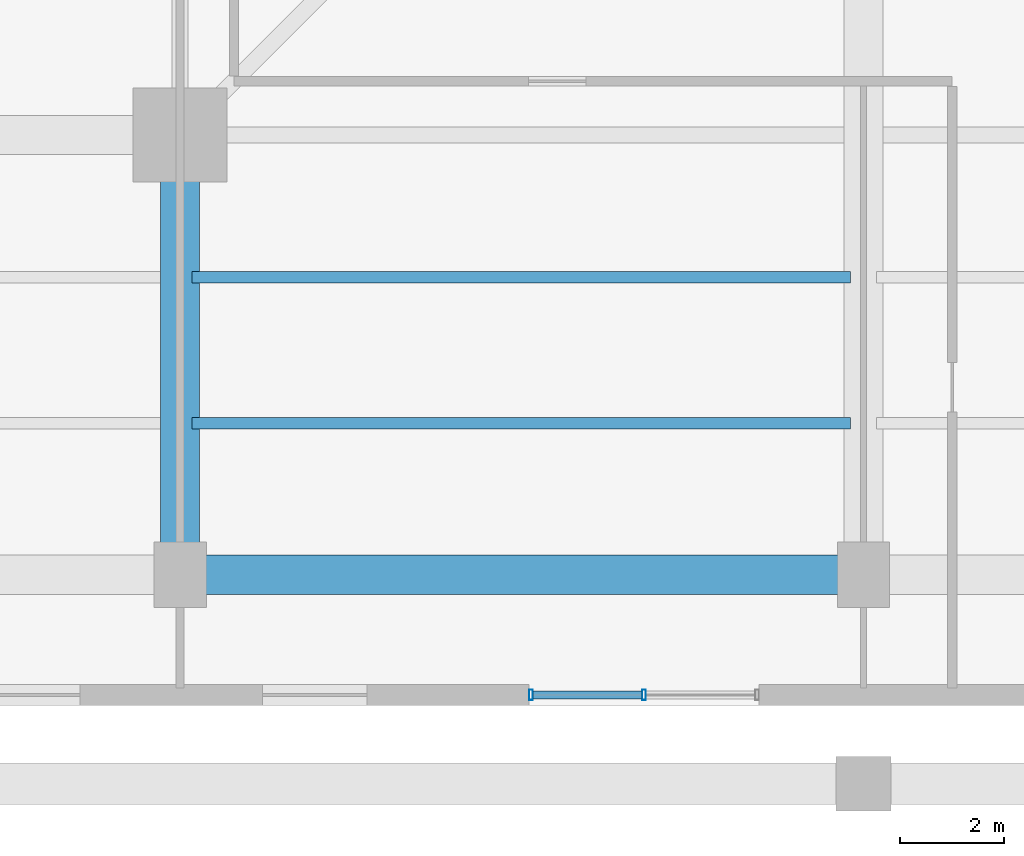
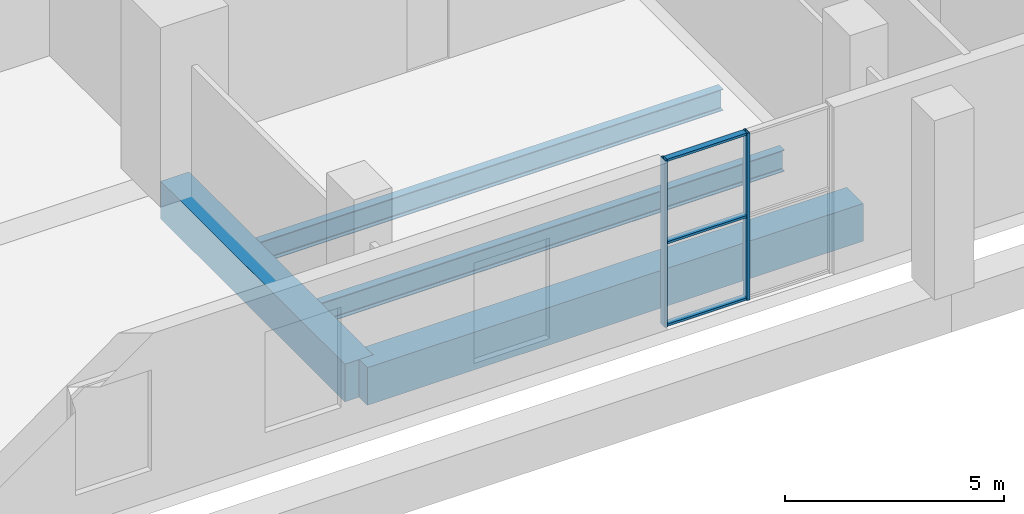
# One storey, part 2 of 14: 5 members, 4 beams, 1 element without a shape of its own.
"""IFC4 building model written with IfcOpenShell, lengths in metres."""

from ifc_helpers import new_model, si_unit, direction, frame, origin, origin_2d, place, context, subcontext, project, spatial, rectangle, hollow_rectangle, i_section, extrude, source, transform, mapped, material, layer, layer_set, material_profile, profile_set, type_object, element, aggregate, save


model = new_model("IFC4")

# Units and contexts
model_context = context("Model", 3, precision=1e-05, world=origin(), true_north=direction((0.0, 1.0)))
body_context = subcontext(model_context, "Body", "Model", "MODEL_VIEW")
ifc_project = project(units=[si_unit("LENGTHUNIT", "METRE"), si_unit("AREAUNIT", "SQUARE_METRE"), si_unit("VOLUMEUNIT", "CUBIC_METRE"), si_unit("PLANEANGLEUNIT", "RADIAN"), si_unit("MASSUNIT", "GRAM", prefix="KILO"), si_unit("THERMODYNAMICTEMPERATUREUNIT", "KELVIN")], contexts=[model_context])

# Site, building, storey
site_placement = place(None, origin())
site = spatial("IfcSite", under=ifc_project, at=site_placement, CompositionType="ELEMENT")
building_placement = place(site_placement, origin())
building = spatial("IfcBuilding", under=site, at=building_placement, Name="Kosmvard Interchange Tower", CompositionType="ELEMENT")
storey_placement = place(building_placement, frame((0.0, 0.0, 16.0)))
storey = spatial("IfcBuildingStorey", under=building, at=storey_placement, Name="L03", CompositionType="ELEMENT", Elevation=16.0)

# Beams
ifc_material_1 = material(Name="Steel S355", Category="steel")
ifc_material_profile_1 = material_profile(ifc_material_1, i_section(OverallWidth=0.219970703125, OverallDepth=0.60009765625, WebThickness=0.011962890625, FlangeThickness=0.01904296875, FilletRadius=0.02392578125, at=origin_2d()), Name="IPE 600")
ifc_profile_set_1 = profile_set([ifc_material_profile_1], Name="Steel S355")
beam_type_1 = type_object("IfcBeamType", Name="Long-Span Floor Joist IPE 600 S355", PredefinedType="JOIST", material=ifc_profile_set_1)
shared_shape_1 = source(origin(), body_context, "Body", "SweptSolid", [
    extrude(i_section(OverallWidth=0.219970703125, OverallDepth=0.60009765625, WebThickness=0.011962890625, FlangeThickness=0.01904296875, FilletRadius=0.02392578125, at=origin_2d()), origin(), (0.0, 0.0, 1.0), 12.60009765625),
])
for number, where, z_axis, x_axis, name in (
    (1, (-12.85009765625, -18.60009765625, -0.639892578125), (1.0, 0.0, 0.0), (0.0, 1.0, 0.0), "BM-L03-PJ02"),
    (2, (-12.85009765625, -15.800048828125, -0.639892578125), (1.0, 0.0, 0.0), (0.0, 1.0, 0.0), "BM-L03-PJ06"),
):
    element("IfcBeam", number, at=place(storey_placement, frame(where, z_axis=z_axis, x_axis=x_axis)), inside=storey, type_object=beam_type_1, Name=name, PredefinedType="JOIST", context=body_context, shape_type="MappedRepresentation", body=[
        mapped(shared_shape_1, transform((0.0, 0.0, 0.0), scale=1.0)),
    ])
ifc_material_2 = material(Name="Concrete C60/75", Category="concrete")
ifc_material_profile_2 = material_profile(ifc_material_2, rectangle(XDim=0.75, YDim=1.050048828125, at=origin_2d()), Name="RCG 750x1050")
ifc_profile_set_2 = profile_set([ifc_material_profile_2], Name="Concrete C60/75")
beam_type_2 = type_object("IfcBeamType", Name="Concourse Mid-Span RC Girder 750x1050 C60/75", PredefinedType="BEAM", material=ifc_profile_set_2)
shared_shape_2 = source(origin(), body_context, "Body", "SweptSolid", [
    extrude(rectangle(XDim=0.75, YDim=1.050048828125, at=origin_2d()), origin(), (0.0, 0.0, 1.0), 13.0810546875),
])
beam_1_placement = place(storey_placement, frame((-13.0810546875, -21.5, -0.52490234375), z_axis=(1.0, 0.0, 0.0), x_axis=(0.0, 1.0, 0.0)))
element("IfcBeam", 3, at=beam_1_placement, inside=storey, type_object=beam_type_2, Name="BM-L03-PG-S2", PredefinedType="BEAM", context=body_context, shape_type="MappedRepresentation", body=[
    mapped(shared_shape_2, transform((0.0, 0.0, 0.0), scale=1.0)),
])
shared_shape_3 = source(origin(), body_context, "Body", "SweptSolid", [
    extrude(rectangle(XDim=0.75, YDim=1.050048828125, at=origin_2d()), origin(), (0.0, 0.0, 1.0), 8.4189453125),
])
beam_2_placement = place(storey_placement, frame((-13.0810546875, -21.5, -0.52490234375), z_axis=(0.0, 1.0, 0.0), x_axis=(-1.0, 0.0, 0.0)))
element("IfcBeam", 4, at=beam_2_placement, inside=storey, type_object=beam_type_2, Name="BM-L03-PG-CS1", PredefinedType="BEAM", context=body_context, shape_type="MappedRepresentation", body=[
    mapped(shared_shape_3, transform((0.0, 0.0, 0.0), scale=1.0)),
])

# Curtain wall, members
ifc_material_3 = material(Name="Architectural anodised aluminium", Category="aluminium")
ifc_layer = layer(ifc_material_3, 0.199951171875, Name="Architectural anodised aluminium")
ifc_layer_set = layer_set([ifc_layer], Name="Architectural anodised aluminium")
curtain_wall_type = type_object("IfcCurtainWallType", Name="CW-2 Cascade Terrace Hall Curtain Wall", PredefinedType="NOTDEFINED", material=ifc_layer_set)
curtain_wall_placement = place(storey_placement, origin())
curtain_wall = element("IfcCurtainWall", 5, at=curtain_wall_placement, inside=storey, type_object=curtain_wall_type, Name="L03 South Terrace Hall Curtain Wall", PredefinedType="NOTDEFINED")
ifc_material_profile_3 = material_profile(ifc_material_3, hollow_rectangle(XDim=0.199951171875, YDim=0.070068359375, WallThickness=0.0048828125, at=origin_2d()), Name="CWM 200x70x5")
ifc_profile_set_3 = profile_set([ifc_material_profile_3], Name="Architectural anodised aluminium")
member_type_1 = type_object("IfcMemberType", Name="Terrace CW Mullion 200x70 Aluminium", PredefinedType="MULLION", material=ifc_profile_set_3)
shared_shape_4 = source(origin(), body_context, "Body", "SweptSolid", [
    extrude(hollow_rectangle(XDim=0.199951171875, YDim=0.070068359375, WallThickness=0.0048828125, at=origin_2d()), origin(), (0.0, 0.0, 1.0), 4.659912109375),
])
member_1_placement = place(storey_placement, frame((-6.364990234375, -23.800048828125, 0.0), z_axis=(0.0, 0.0, 1.0), x_axis=(0.0, 1.0, 0.0)))
member_1 = element("IfcMember", 6, at=member_1_placement, type_object=member_type_1, Name="CW-2 mullion 1", PredefinedType="MULLION", context=body_context, shape_type="MappedRepresentation", body=[
    mapped(shared_shape_4, transform((0.0, 0.0, 0.0), scale=1.0)),
])
member_2_placement = place(storey_placement, frame((-4.199951171875, -23.800048828125, 0.0), z_axis=(0.0, 0.0, 1.0), x_axis=(0.0, 1.0, 0.0)))
member_2 = element("IfcMember", 7, at=member_2_placement, type_object=member_type_1, Name="CW-2 mullion 2", PredefinedType="MULLION", context=body_context, shape_type="MappedRepresentation", body=[
    mapped(shared_shape_4, transform((0.0, 0.0, 0.0), scale=1.0)),
])
ifc_material_profile_4 = material_profile(ifc_material_3, hollow_rectangle(XDim=0.159912109375, YDim=0.06494140625, WallThickness=0.00390625, at=origin_2d()), Name="CWT 160x65x4")
ifc_profile_set_4 = profile_set([ifc_material_profile_4], Name="Architectural anodised aluminium")
member_type_2 = type_object("IfcMemberType", Name="Standard CW Transom 160x65 Aluminium", PredefinedType="USERDEFINED", material=ifc_profile_set_4)
shared_shape_5 = source(origin(), body_context, "Body", "SweptSolid", [
    extrude(hollow_rectangle(XDim=0.159912109375, YDim=0.06494140625, WallThickness=0.00390625, at=origin_2d()), origin(), (0.0, 0.0, 1.0), 2.094970703125),
])
member_3_placement = place(storey_placement, frame((-6.330078125, -23.800048828125, 0.032470703125), z_axis=(1.0, 0.0, 0.0), x_axis=(0.0, 1.0, 0.0)))
member_3 = element("IfcMember", 8, at=member_3_placement, type_object=member_type_2, Name="CW-2 transom 1.1", ObjectType="TRANSOM", PredefinedType="USERDEFINED", context=body_context, shape_type="MappedRepresentation", body=[
    mapped(shared_shape_5, transform((0.0, 0.0, 0.0), scale=1.0)),
])
member_4_placement = place(storey_placement, frame((-6.330078125, -23.800048828125, 2.330078125), z_axis=(1.0, 0.0, 0.0), x_axis=(0.0, 1.0, 0.0)))
member_4 = element("IfcMember", 9, at=member_4_placement, type_object=member_type_2, Name="CW-2 transom 1.2", ObjectType="TRANSOM", PredefinedType="USERDEFINED", context=body_context, shape_type="MappedRepresentation", body=[
    mapped(shared_shape_5, transform((0.0, 0.0, 0.0), scale=1.0)),
])
member_5_placement = place(storey_placement, frame((-6.330078125, -23.800048828125, 4.62744140625), z_axis=(1.0, 0.0, 0.0), x_axis=(0.0, 1.0, 0.0)))
member_5 = element("IfcMember", 10, at=member_5_placement, type_object=member_type_2, Name="CW-2 transom 1.3", ObjectType="TRANSOM", PredefinedType="USERDEFINED", context=body_context, shape_type="MappedRepresentation", body=[
    mapped(shared_shape_5, transform((0.0, 0.0, 0.0), scale=1.0)),
])
aggregate(curtain_wall, [member_1, member_2, member_3, member_4, member_5])

save(model, "model.ifc")
